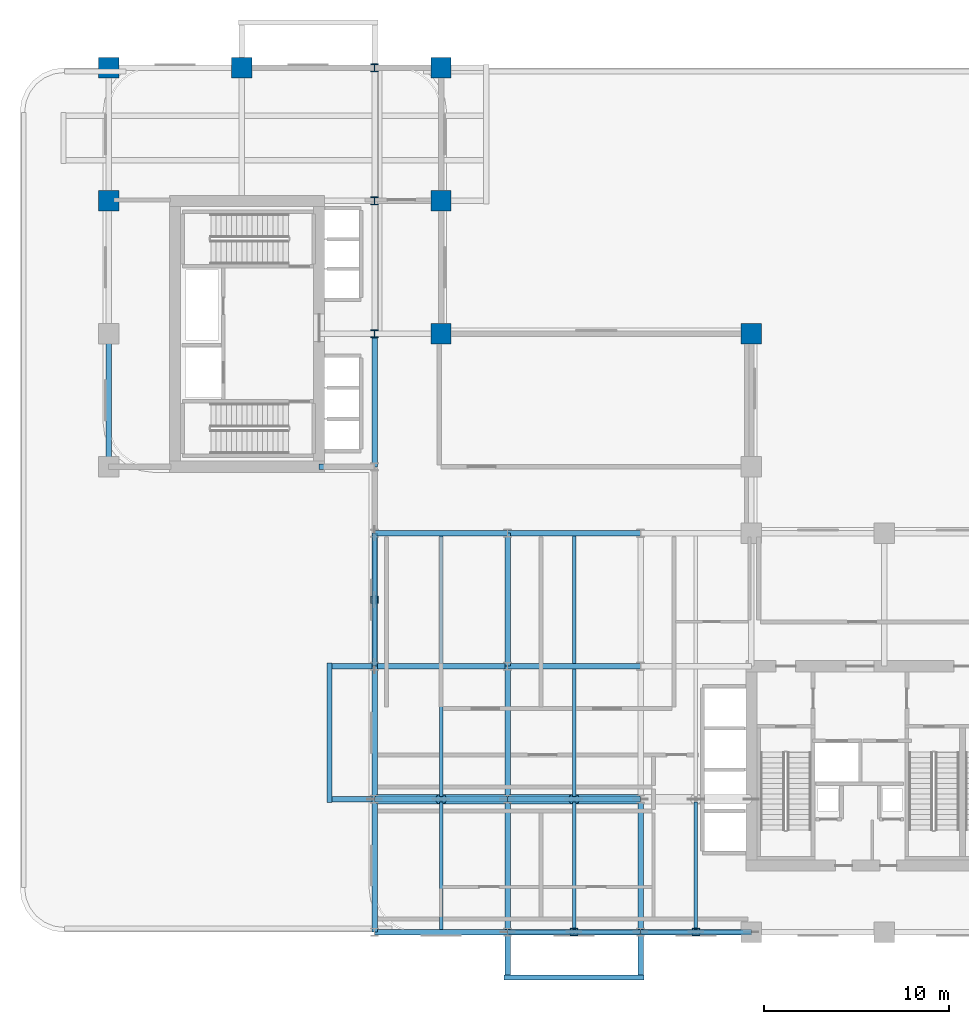
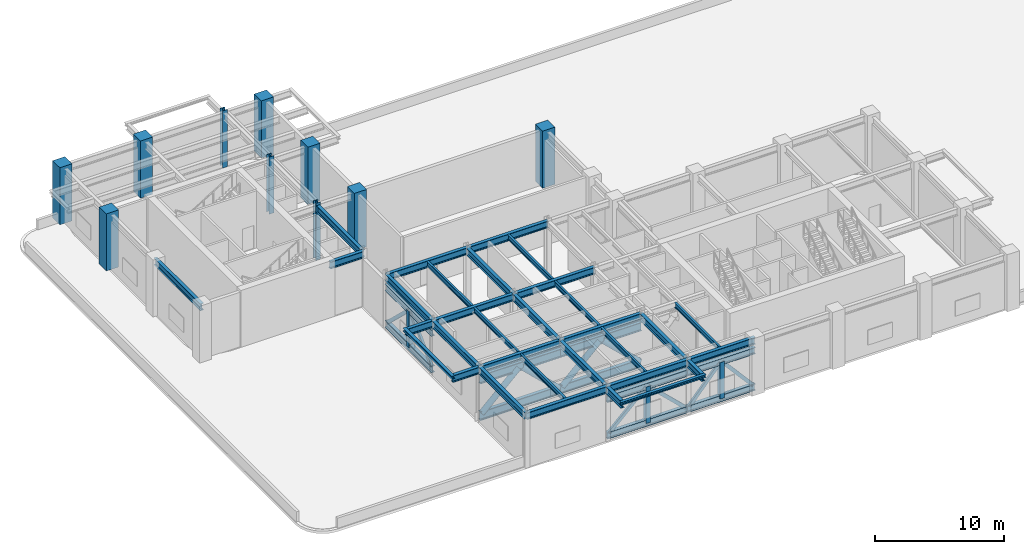
# One storey, part 2 of 14: 28 beams, 23 members, 10 columns.
"""IFC4 building model written with IfcOpenShell, lengths in metres."""

from ifc_helpers import new_model, si_unit, derived_unit, direction, frame, origin, origin_2d, place, context, subcontext, project, spatial, rectangle, hollow_rectangle, hollow_circle, i_section, extrude, source, transform, mapped, material, material_profile, profile_set, type_object, type_shapes, element, save


model = new_model("IFC4")

# Units and contexts
model_context = context("Model", 3, precision=1e-05, world=origin(), true_north=direction((0.0, 1.0)))
body_context = subcontext(model_context, "Body", "Model", "MODEL_VIEW")
ifc_project = project(units=[si_unit("LENGTHUNIT", "METRE"), si_unit("AREAUNIT", "SQUARE_METRE"), si_unit("VOLUMEUNIT", "CUBIC_METRE"), si_unit("PLANEANGLEUNIT", "RADIAN"), si_unit("MASSUNIT", "GRAM", prefix="KILO"), si_unit("THERMODYNAMICTEMPERATUREUNIT", "KELVIN"), si_unit("POWERUNIT", "WATT"), derived_unit("THERMALTRANSMITTANCEUNIT", [(si_unit("POWERUNIT", "WATT"), 1), (si_unit("AREAUNIT", "SQUARE_METRE"), -1), (si_unit("THERMODYNAMICTEMPERATUREUNIT", "KELVIN"), -1)])], contexts=[model_context])

# Site, building, storey
site_placement = place(None, origin())
site = spatial("IfcSite", under=ifc_project, at=site_placement, CompositionType="ELEMENT")
building_placement = place(site_placement, origin())
building = spatial("IfcBuilding", under=site, at=building_placement, Name="Zahravan Archway Hotel and Residences", CompositionType="ELEMENT")
storey_placement = place(building_placement, frame((0.0, 0.0, 27.0)))
storey = spatial("IfcBuildingStorey", under=building, at=storey_placement, Name="L05", CompositionType="ELEMENT", Elevation=27.0)

# Columns
ifc_material_1 = material(Name="Concrete C70/85", Category="concrete")
ifc_material_profile_1 = material_profile(ifc_material_1, rectangle(XDim=1.10009765625, YDim=1.10009765625, at=origin_2d()), Name="RC 1100x1100", Category="concrete")
ifc_profile_set_1 = profile_set([ifc_material_profile_1], Name="Concrete C70/85")
column_type_1 = type_object("IfcColumnType", Name="COL-RC-1100", PredefinedType="COLUMN", material=ifc_profile_set_1)
shared_shape_1 = source(origin(), body_context, "Body", "SweptSolid", [
    extrude(rectangle(XDim=1.10009765625, YDim=1.10009765625, at=origin_2d()), origin(), (0.0, 0.0, 1.0), 5.39990234375),
])
for number, where, z_axis, x_axis, name in (
    (1, (0.0, 39.60009765625, 0.0), (0.0, 0.0, 1.0), (1.0, 0.0, 0.0), "L05 Column 1-G"),
    (2, (0.0, 46.800048828125, 0.0), (0.0, 0.0, 1.0), (1.0, 0.0, 0.0), "L05 Column 1-H"),
    (3, (7.199951171875, 46.800048828125, 0.0), (0.0, 0.0, 1.0), (1.0, 0.0, 0.0), "L05 Column 2-H"),
    (4, (34.800048828125, 32.39990234375, 0.0), (0.0, 0.0, 1.0), (1.0, 0.0, 0.0), "L05 Column 6-F"),
    (5, (18.0, 32.39990234375, 0.0), (0.0, 0.0, 1.0), (1.0, 0.0, 0.0), "L05 Column 3B-F"),
    (6, (18.0, 39.60009765625, 0.0), (0.0, 0.0, 1.0), (1.0, 0.0, 0.0), "L05 Column 3B-G"),
    (7, (18.0, 46.800048828125, 0.0), (0.0, 0.0, 1.0), (1.0, 0.0, 0.0), "L05 Column 3B-H"),
):
    element("IfcColumn", number, at=place(storey_placement, frame(where, z_axis=z_axis, x_axis=x_axis)), inside=storey, type_object=column_type_1, Name=name, PredefinedType="COLUMN", context=body_context, shape_type="MappedRepresentation", body=[
        mapped(shared_shape_1, transform((0.0, 0.0, 0.0), scale=1.0)),
    ])
ifc_material_2 = material(Name="Structural Steel S460M", Category="steel")
ifc_material_profile_2 = material_profile(ifc_material_2, i_section(OverallWidth=0.408935546875, OverallDepth=0.425048828125, WebThickness=0.0244140625, FlangeThickness=0.0390625, FilletRadius=0.014892578125, at=origin_2d()), Name="HD 400x421", Category="steel")
ifc_profile_set_2 = profile_set([ifc_material_profile_2], Name="Structural Steel S460M")
column_type_2 = type_object("IfcColumnType", Name="COL-STL-HD400", PredefinedType="COLUMN", material=ifc_profile_set_2)
shared_shape_2 = source(origin(), body_context, "Body", "SweptSolid", [
    extrude(i_section(OverallWidth=0.408935546875, OverallDepth=0.425048828125, WebThickness=0.0244140625, FlangeThickness=0.0390625, FilletRadius=0.014892578125, at=origin_2d()), origin(), (0.0, 0.0, 1.0), 5.39990234375),
])
type_shapes(column_type_2, [shared_shape_2])
for number, where, z_axis, x_axis, name in (
    (8, (14.39990234375, 32.39990234375, 0.0), (0.0, 0.0, 1.0), (1.0, 0.0, 0.0), "L05 Column 3-F"),
    (9, (14.39990234375, 39.60009765625, 0.0), (0.0, 0.0, 1.0), (1.0, 0.0, 0.0), "L05 Column 3-G"),
    (10, (14.39990234375, 46.800048828125, 0.0), (0.0, 0.0, 1.0), (1.0, 0.0, 0.0), "L05 Column 3-H"),
):
    element("IfcColumn", number, at=place(storey_placement, frame(where, z_axis=z_axis, x_axis=x_axis)), inside=storey, type_object=column_type_2, Name=name, PredefinedType="COLUMN", context=body_context, shape_type="MappedRepresentation", body=[
        mapped(shared_shape_2, transform((0.0, 0.0, 0.0), scale=1.0)),
    ])

# Beams
ifc_material_3 = material(Name="Structural Steel S355JR", Category="steel")
ifc_material_profile_3 = material_profile(ifc_material_3, i_section(OverallWidth=0.300048828125, OverallDepth=0.64990234375, WebThickness=0.01611328125, FlangeThickness=0.031005859375, FilletRadius=0.027099609375, at=origin_2d()), Name="HEB 650", Category="steel")
ifc_profile_set_3 = profile_set([ifc_material_profile_3], Name="Structural Steel S355JR")
beam_type_1 = type_object("IfcBeamType", Name="BM-PRI-HEB650", PredefinedType="BEAM", material=ifc_profile_set_3)
shared_shape_3 = source(origin(), body_context, "Body", "SweptSolid", [
    extrude(i_section(OverallWidth=0.300048828125, OverallDepth=0.64990234375, WebThickness=0.01611328125, FlangeThickness=0.031005859375, FilletRadius=0.027099609375, at=origin_2d()), origin(), (0.0, 0.0, 1.0), 7.2001953125),
])
type_shapes(beam_type_1, [shared_shape_3])
for number, where, z_axis, x_axis, name in (
    (11, (14.39990234375, 0.0, 4.824951171875), (1.0, 0.0, 0.0), (0.0, 1.0, 0.0), "L05 Primary Girder EW-01"),
    (12, (14.39990234375, 21.60009765625, 4.824951171875), (1.0, 0.0, 0.0), (0.0, 1.0, 0.0), "L05 Primary Girder EW-15"),
    (13, (14.39990234375, 14.39990234375, 4.824951171875), (0.0, 1.0, 0.0), (-1.0, 0.0, 0.0), "L05 Primary Girder NS-34"),
    (14, (21.60009765625, 14.39990234375, 4.824951171875), (0.0, 1.0, 0.0), (-1.0, 0.0, 0.0), "L05 Primary Girder NS-40"),
):
    element("IfcBeam", number, at=place(storey_placement, frame(where, z_axis=z_axis, x_axis=x_axis)), inside=storey, type_object=beam_type_1, Name=name, PredefinedType="BEAM", context=body_context, shape_type="MappedRepresentation", body=[
        mapped(shared_shape_3, transform((0.0, 0.0, 0.0), scale=1.0)),
    ])
shared_shape_4 = source(origin(), body_context, "Body", "SweptSolid", [
    extrude(i_section(OverallWidth=0.300048828125, OverallDepth=0.64990234375, WebThickness=0.01611328125, FlangeThickness=0.031005859375, FilletRadius=0.027099609375, at=origin_2d()), origin(), (0.0, 0.0, 1.0), 7.199951171875),
])
for number, where, z_axis, x_axis, name in (
    (15, (21.60009765625, 0.0, 4.824951171875), (1.0, 0.0, 0.0), (0.0, 1.0, 0.0), "L05 Primary Girder EW-02"),
    (16, (21.60009765625, 7.199951171875, 4.824951171875), (1.0, 0.0, 0.0), (0.0, 1.0, 0.0), "L05 Primary Girder EW-08"),
    (17, (21.60009765625, 14.39990234375, 4.824951171875), (1.0, 0.0, 0.0), (0.0, 1.0, 0.0), "L05 Primary Girder EW-12"),
    (18, (21.60009765625, 21.60009765625, 4.824951171875), (1.0, 0.0, 0.0), (0.0, 1.0, 0.0), "L05 Primary Girder EW-16"),
    (19, (0.0, 25.199951171875, 4.824951171875), (0.0, 1.0, 0.0), (-1.0, 0.0, 0.0), "L05 Primary Girder NS-28"),
    (20, (14.39990234375, 0.0, 4.824951171875), (0.0, 1.0, 0.0), (-1.0, 0.0, 0.0), "L05 Primary Girder NS-32"),
    (21, (14.39990234375, 7.199951171875, 4.824951171875), (0.0, 1.0, 0.0), (-1.0, 0.0, 0.0), "L05 Primary Girder NS-33"),
    (22, (14.39990234375, 25.199951171875, 4.824951171875), (0.0, 1.0, 0.0), (-1.0, 0.0, 0.0), "L05 Primary Girder NS-35"),
    (23, (21.60009765625, 7.199951171875, 4.824951171875), (0.0, 1.0, 0.0), (-1.0, 0.0, 0.0), "L05 Primary Girder NS-39"),
):
    element("IfcBeam", number, at=place(storey_placement, frame(where, z_axis=z_axis, x_axis=x_axis)), inside=storey, type_object=beam_type_1, Name=name, PredefinedType="BEAM", context=body_context, shape_type="MappedRepresentation", body=[
        mapped(shared_shape_4, transform((0.0, 0.0, 0.0), scale=1.0)),
    ])
shared_shape_5 = source(origin(), body_context, "Body", "SweptSolid", [
    extrude(i_section(OverallWidth=0.300048828125, OverallDepth=0.64990234375, WebThickness=0.01611328125, FlangeThickness=0.031005859375, FilletRadius=0.027099609375, at=origin_2d()), origin(), (0.0, 0.0, 1.0), 6.0),
])
beam_1_placement = place(storey_placement, frame((28.800048828125, 0.0, 4.824951171875), z_axis=(1.0, 0.0, 0.0), x_axis=(0.0, 1.0, 0.0)))
element("IfcBeam", 24, at=beam_1_placement, inside=storey, type_object=beam_type_1, Name="L05 Primary Girder EW-03", PredefinedType="BEAM", context=body_context, shape_type="MappedRepresentation", body=[
    mapped(shared_shape_5, transform((0.0, 0.0, 0.0), scale=1.0)),
])
shared_shape_6 = source(origin(), body_context, "Body", "SweptSolid", [
    extrude(i_section(OverallWidth=0.300048828125, OverallDepth=0.64990234375, WebThickness=0.01611328125, FlangeThickness=0.031005859375, FilletRadius=0.027099609375, at=origin_2d()), origin(), (0.0, 0.0, 1.0), 9.650146484375),
])
for number, where, z_axis, x_axis, name in (
    (25, (11.949951171875, 7.199951171875, 4.824951171875), (1.0, 0.0, 0.0), (0.0, 1.0, 0.0), "L05 Primary Girder EW-07"),
    (26, (11.949951171875, 14.39990234375, 4.824951171875), (1.0, 0.0, 0.0), (0.0, 1.0, 0.0), "L05 Primary Girder EW-11"),
):
    element("IfcBeam", number, at=place(storey_placement, frame(where, z_axis=z_axis, x_axis=x_axis)), inside=storey, type_object=beam_type_1, Name=name, PredefinedType="BEAM", context=body_context, shape_type="MappedRepresentation", body=[
        mapped(shared_shape_6, transform((0.0, 0.0, 0.0), scale=1.0)),
    ])
shared_shape_7 = source(origin(), body_context, "Body", "SweptSolid", [
    extrude(i_section(OverallWidth=0.300048828125, OverallDepth=0.64990234375, WebThickness=0.01611328125, FlangeThickness=0.031005859375, FilletRadius=0.027099609375, at=origin_2d()), origin(), (0.0, 0.0, 1.0), 3.0),
])
beam_2_placement = place(storey_placement, frame((11.39990234375, 25.199951171875, 4.824951171875), z_axis=(1.0, 0.0, 0.0), x_axis=(0.0, 1.0, 0.0)))
element("IfcBeam", 27, at=beam_2_placement, inside=storey, type_object=beam_type_1, Name="L05 Primary Girder EW-21", PredefinedType="BEAM", context=body_context, shape_type="MappedRepresentation", body=[
    mapped(shared_shape_7, transform((0.0, 0.0, 0.0), scale=1.0)),
])
ifc_material_profile_4 = material_profile(ifc_material_3, i_section(OverallWidth=0.280029296875, OverallDepth=0.280029296875, WebThickness=0.010498046875, FlangeThickness=0.01806640625, FilletRadius=0.02392578125, at=origin_2d()), Name="HEB 280", Category="steel")
ifc_profile_set_4 = profile_set([ifc_material_profile_4], Name="Structural Steel S355JR")
beam_type_2 = type_object("IfcBeamType", Name="BM-SPN-HEB280", PredefinedType="SPANDREL", material=ifc_profile_set_4)
shared_shape_8 = source(origin(), body_context, "Body", "SweptSolid", [
    extrude(i_section(OverallWidth=0.280029296875, OverallDepth=0.280029296875, WebThickness=0.010498046875, FlangeThickness=0.01806640625, FilletRadius=0.02392578125, at=origin_2d()), origin(), (0.0, 0.0, 1.0), 7.56005859375),
])
type_shapes(beam_type_2, [shared_shape_8])
for number, where, z_axis, x_axis, name in (
    (28, (11.949951171875, 7.02001953125, 5.010009765625), (0.0, 1.0, 0.0), (-1.0, 0.0, 0.0), "L06 WA Balcony Edge Spandrel"),
    (29, (21.419921875, -2.449951171875, 5.010009765625), (1.0, 0.0, 0.0), (0.0, 1.0, 0.0), "L06 SA Balcony Edge Spandrel"),
):
    element("IfcBeam", number, at=place(storey_placement, frame(where, z_axis=z_axis, x_axis=x_axis)), inside=storey, type_object=beam_type_2, Name=name, PredefinedType="SPANDREL", context=body_context, shape_type="MappedRepresentation", body=[
        mapped(shared_shape_8, transform((0.0, 0.0, 0.0), scale=1.0)),
    ])
shared_shape_9 = source(origin(), body_context, "Body", "SweptSolid", [
    extrude(i_section(OverallWidth=0.300048828125, OverallDepth=0.64990234375, WebThickness=0.01611328125, FlangeThickness=0.031005859375, FilletRadius=0.027099609375, at=origin_2d()), origin(), (0.0, 0.0, 1.0), 9.64990234375),
])
for number, where, z_axis, x_axis, name in (
    (30, (21.60009765625, -2.449951171875, 4.824951171875), (0.0, 1.0, 0.0), (-1.0, 0.0, 0.0), "L05 Primary Girder NS-38"),
    (31, (28.800048828125, -2.449951171875, 4.824951171875), (0.0, 1.0, 0.0), (-1.0, 0.0, 0.0), "L05 Primary Girder NS-41"),
):
    element("IfcBeam", number, at=place(storey_placement, frame(where, z_axis=z_axis, x_axis=x_axis)), inside=storey, type_object=beam_type_1, Name=name, PredefinedType="BEAM", context=body_context, shape_type="MappedRepresentation", body=[
        mapped(shared_shape_9, transform((0.0, 0.0, 0.0), scale=1.0)),
    ])
ifc_material_profile_5 = material_profile(ifc_material_3, i_section(OverallWidth=0.18994140625, OverallDepth=0.449951171875, WebThickness=0.009521484375, FlangeThickness=0.0146484375, FilletRadius=0.02099609375, at=origin_2d()), Name="IPE 450", Category="steel")
ifc_profile_set_5 = profile_set([ifc_material_profile_5], Name="Structural Steel S355JR")
beam_type_3 = type_object("IfcBeamType", Name="BM-JST-IPE450", PredefinedType="JOIST", material=ifc_profile_set_5)
shared_shape_10 = source(origin(), body_context, "Body", "SweptSolid", [
    extrude(i_section(OverallWidth=0.18994140625, OverallDepth=0.449951171875, WebThickness=0.009521484375, FlangeThickness=0.0146484375, FilletRadius=0.02099609375, at=origin_2d()), origin(), (0.0, 0.0, 1.0), 6.904052734375),
])
type_shapes(beam_type_3, [shared_shape_10])
for number, where, z_axis, x_axis, name in (
    (32, (18.0, 0.14794921875, 4.925048828125), (0.0, 1.0, 0.0), (-1.0, 0.0, 0.0), "L05 Composite Floor Joist 01"),
    (33, (25.199951171875, 0.14794921875, 4.925048828125), (0.0, 1.0, 0.0), (-1.0, 0.0, 0.0), "L05 Composite Floor Joist 02"),
    (34, (31.800048828125, 0.14794921875, 4.925048828125), (0.0, 1.0, 0.0), (-1.0, 0.0, 0.0), "L05 Composite Floor Joist 03"),
    (35, (18.0, 7.347900390625, 4.925048828125), (0.0, 1.0, 0.0), (-1.0, 0.0, 0.0), "L05 Composite Floor Joist 05"),
    (36, (25.199951171875, 7.347900390625, 4.925048828125), (0.0, 1.0, 0.0), (-1.0, 0.0, 0.0), "L05 Composite Floor Joist 06"),
):
    element("IfcBeam", number, at=place(storey_placement, frame(where, z_axis=z_axis, x_axis=x_axis)), inside=storey, type_object=beam_type_3, Name=name, PredefinedType="JOIST", context=body_context, shape_type="MappedRepresentation", body=[
        mapped(shared_shape_10, transform((0.0, 0.0, 0.0), scale=1.0)),
    ])
shared_shape_11 = source(origin(), body_context, "Body", "SweptSolid", [
    extrude(i_section(OverallWidth=0.18994140625, OverallDepth=0.449951171875, WebThickness=0.009521484375, FlangeThickness=0.0146484375, FilletRadius=0.02099609375, at=origin_2d()), origin(), (0.0, 0.0, 1.0), 6.90380859375),
])
for number, where, z_axis, x_axis, name in (
    (37, (18.0, 14.548095703125, 4.925048828125), (0.0, 1.0, 0.0), (-1.0, 0.0, 0.0), "L05 Composite Floor Joist 09"),
    (38, (25.199951171875, 14.548095703125, 4.925048828125), (0.0, 1.0, 0.0), (-1.0, 0.0, 0.0), "L05 Composite Floor Joist 10"),
):
    element("IfcBeam", number, at=place(storey_placement, frame(where, z_axis=z_axis, x_axis=x_axis)), inside=storey, type_object=beam_type_3, Name=name, PredefinedType="JOIST", context=body_context, shape_type="MappedRepresentation", body=[
        mapped(shared_shape_11, transform((0.0, 0.0, 0.0), scale=1.0)),
    ])

# Members
ifc_material_profile_6 = material_profile(ifc_material_2, i_section(OverallWidth=0.302978515625, OverallDepth=0.81396484375, WebThickness=0.02099609375, FlangeThickness=0.0400390625, FilletRadius=0.030029296875, at=origin_2d()), Name="HEM 800", Category="steel")
ifc_profile_set_6 = profile_set([ifc_material_profile_6], Name="Structural Steel S460M")
member_type_1 = type_object("IfcMemberType", Name="MEM-CHD-HEM800", PredefinedType="CHORD", material=ifc_profile_set_6)
shared_shape_12 = source(origin(), body_context, "Body", "SweptSolid", [
    extrude(i_section(OverallWidth=0.302978515625, OverallDepth=0.81396484375, WebThickness=0.02099609375, FlangeThickness=0.0400390625, FilletRadius=0.030029296875, at=origin_2d()), origin(), (0.0, 0.0, 1.0), 7.2001953125),
])
type_shapes(member_type_1, [shared_shape_12])
for number, where, z_axis, x_axis, name in (
    (39, (14.39990234375, 7.199951171875, 3.89990234375), (1.0, 0.0, 0.0), (0.0, 1.0, 0.0), "L05 Outrigger OT1 Top Chord 1"),
    (40, (14.39990234375, 7.199951171875, 0.449951171875), (1.0, 0.0, 0.0), (0.0, 1.0, 0.0), "L05 Outrigger OT1 Bottom Chord 1"),
):
    element("IfcMember", number, at=place(storey_placement, frame(where, z_axis=z_axis, x_axis=x_axis)), inside=storey, type_object=member_type_1, Name=name, PredefinedType="CHORD", context=body_context, shape_type="MappedRepresentation", body=[
        mapped(shared_shape_12, transform((0.0, 0.0, 0.0), scale=1.0)),
    ])
ifc_material_profile_7 = material_profile(ifc_material_2, hollow_circle(Radius=0.25390625, WallThickness=0.02490234375, at=origin_2d()), Name="CHS 508x25", Category="steel")
ifc_profile_set_7 = profile_set([ifc_material_profile_7], Name="Structural Steel S460M")
member_type_2 = type_object("IfcMemberType", Name="MEM-DIAG-CHS508", PredefinedType="BRACE", material=ifc_profile_set_7)
shared_shape_13 = source(origin(), body_context, "Body", "SweptSolid", [
    extrude(hollow_circle(Radius=0.25390625, WallThickness=0.02490234375, at=origin_2d()), origin(), (0.0, 0.0, 1.0), 4.586181640625),
])
type_shapes(member_type_2, [shared_shape_13])
for number, where, z_axis, x_axis, name in (
    (41, (14.5732421875, 7.199951171875, 0.6162109375), (0.722011473464, 0.0, 0.691881082402), (0.0, 1.0, 0.0), "L05 Outrigger OT1 Chevron Left 1"),
    (42, (18.115478515625, 7.199951171875, 3.789306640625), (0.722011473464, 0.0, -0.691881082402), (0.0, 1.0, 0.0), "L05 Outrigger OT1 Chevron Right 1"),
    (43, (21.773193359375, 7.199951171875, 0.6162109375), (0.722011473464, 0.0, 0.691881082402), (0.0, 1.0, 0.0), "L05 Outrigger OT1 Chevron Left 2"),
    (44, (25.3154296875, 7.199951171875, 3.789306640625), (0.722011473464, 0.0, -0.691881082402), (0.0, 1.0, 0.0), "L05 Outrigger OT1 Chevron Right 2"),
):
    element("IfcMember", number, at=place(storey_placement, frame(where, z_axis=z_axis, x_axis=x_axis)), inside=storey, type_object=member_type_2, Name=name, PredefinedType="BRACE", context=body_context, shape_type="MappedRepresentation", body=[
        mapped(shared_shape_13, transform((0.0, 0.0, 0.0), scale=1.0)),
    ])
shared_shape_14 = source(origin(), body_context, "Body", "SweptSolid", [
    extrude(i_section(OverallWidth=0.302978515625, OverallDepth=0.81396484375, WebThickness=0.02099609375, FlangeThickness=0.0400390625, FilletRadius=0.030029296875, at=origin_2d()), origin(), (0.0, 0.0, 1.0), 7.199951171875),
])
for number, where, z_axis, x_axis, name in (
    (45, (21.60009765625, 7.199951171875, 3.89990234375), (1.0, 0.0, 0.0), (0.0, 1.0, 0.0), "L05 Outrigger OT1 Top Chord 2"),
    (46, (21.60009765625, 7.199951171875, 0.449951171875), (1.0, 0.0, 0.0), (0.0, 1.0, 0.0), "L05 Outrigger OT1 Bottom Chord 2"),
):
    element("IfcMember", number, at=place(storey_placement, frame(where, z_axis=z_axis, x_axis=x_axis)), inside=storey, type_object=member_type_1, Name=name, PredefinedType="CHORD", context=body_context, shape_type="MappedRepresentation", body=[
        mapped(shared_shape_14, transform((0.0, 0.0, 0.0), scale=1.0)),
    ])
ifc_material_4 = material(Name="Structural Steel S355J2", Category="steel")
ifc_material_profile_8 = material_profile(ifc_material_4, i_section(OverallWidth=0.304931640625, OverallDepth=0.6201171875, WebThickness=0.02099609375, FlangeThickness=0.0400390625, FilletRadius=0.027099609375, at=origin_2d()), Name="HEM 600", Category="steel")
ifc_profile_set_8 = profile_set([ifc_material_profile_8], Name="Structural Steel S355J2")
member_type_3 = type_object("IfcMemberType", Name="MEM-CHD-HEM600", PredefinedType="CHORD", material=ifc_profile_set_8)
shared_shape_15 = source(origin(), body_context, "Body", "SweptSolid", [
    extrude(i_section(OverallWidth=0.304931640625, OverallDepth=0.6201171875, WebThickness=0.02099609375, FlangeThickness=0.0400390625, FilletRadius=0.027099609375, at=origin_2d()), origin(), (0.0, 0.0, 1.0), 7.199951171875),
])
type_shapes(member_type_3, [shared_shape_15])
for number, where, z_axis, x_axis, name in (
    (47, (21.60009765625, 0.0, 0.449951171875), (1.0, 0.0, 0.0), (0.0, 1.0, 0.0), "L05 Belt Truss BT1 Bottom Chord 1"),
    (48, (21.60009765625, 0.0, 3.89990234375), (1.0, 0.0, 0.0), (0.0, 1.0, 0.0), "L05 Belt Truss BT1 Top Chord 1"),
):
    element("IfcMember", number, at=place(storey_placement, frame(where, z_axis=z_axis, x_axis=x_axis)), inside=storey, type_object=member_type_3, Name=name, PredefinedType="CHORD", context=body_context, shape_type="MappedRepresentation", body=[
        mapped(shared_shape_15, transform((0.0, 0.0, 0.0), scale=1.0)),
    ])
ifc_material_profile_9 = material_profile(ifc_material_4, hollow_rectangle(XDim=0.199951171875, YDim=0.300048828125, WallThickness=0.012451171875, at=origin_2d()), Name="RHS 300x200x12.5", Category="steel")
ifc_profile_set_9 = profile_set([ifc_material_profile_9], Name="Structural Steel S355J2")
member_type_4 = type_object("IfcMemberType", Name="MEM-DIAG-RHS300", PredefinedType="BRACE", material=ifc_profile_set_9)
shared_shape_16 = source(origin(), body_context, "Body", "SweptSolid", [
    extrude(hollow_rectangle(XDim=0.199951171875, YDim=0.300048828125, WallThickness=0.012451171875, at=origin_2d()), origin(), (0.0, 0.0, 1.0), 4.586181640625),
])
type_shapes(member_type_4, [shared_shape_16])
for number, where, z_axis, x_axis, name in (
    (49, (21.773193359375, 0.0, 0.6162109375), (0.722011473464, 0.0, 0.691881082402), (0.0, 1.0, 0.0), "L05 Belt Truss BT1 Left Brace 1"),
    (50, (25.3154296875, 0.0, 3.789306640625), (0.722011473464, 0.0, -0.691881082402), (0.0, 1.0, 0.0), "L05 Belt Truss BT1 Right Brace 1"),
    (51, (14.39990234375, 14.5732421875, 0.6162109375), (0.0, 0.722011473464, 0.691881082402), (-1.0, 0.0, 0.0), "L05 Belt Truss BT1 Left Brace 3"),
    (52, (14.39990234375, 18.115478515625, 3.789306640625), (0.0, 0.722011473464, -0.691881082402), (-1.0, 0.0, 0.0), "L05 Belt Truss BT1 Right Brace 3"),
):
    element("IfcMember", number, at=place(storey_placement, frame(where, z_axis=z_axis, x_axis=x_axis)), inside=storey, type_object=member_type_4, Name=name, PredefinedType="BRACE", context=body_context, shape_type="MappedRepresentation", body=[
        mapped(shared_shape_16, transform((0.0, 0.0, 0.0), scale=1.0)),
    ])
ifc_material_profile_10 = material_profile(ifc_material_4, hollow_rectangle(XDim=0.39990234375, YDim=0.39990234375, WallThickness=0.02001953125, at=origin_2d()), Name="SHS 400x400x20", Category="steel")
ifc_profile_set_10 = profile_set([ifc_material_profile_10], Name="Structural Steel S355J2")
member_type_5 = type_object("IfcMemberType", Name="MEM-POST-SHS400", PredefinedType="POST", material=ifc_profile_set_10)
shared_shape_17 = source(origin(), body_context, "Body", "SweptSolid", [
    extrude(hollow_rectangle(XDim=0.39990234375, YDim=0.39990234375, WallThickness=0.02001953125, at=origin_2d()), origin(), (0.0, 0.0, 1.0), 3.449951171875),
])
type_shapes(member_type_5, [shared_shape_17])
for number, where, z_axis, x_axis, name in (
    (53, (25.199951171875, 0.0, 0.449951171875), (0.0, 0.0, 1.0), (1.0, 0.0, 0.0), "L05 Belt Truss BT1 King Post 1"),
    (54, (31.800048828125, 0.0, 0.449951171875), (0.0, 0.0, 1.0), (1.0, 0.0, 0.0), "L05 Belt Truss BT1 King Post 2"),
    (55, (14.39990234375, 18.0, 0.449951171875), (0.0, 0.0, 1.0), (1.0, 0.0, 0.0), "L05 Belt Truss BT1 King Post 3"),
):
    element("IfcMember", number, at=place(storey_placement, frame(where, z_axis=z_axis, x_axis=x_axis)), inside=storey, type_object=member_type_5, Name=name, PredefinedType="POST", context=body_context, shape_type="MappedRepresentation", body=[
        mapped(shared_shape_17, transform((0.0, 0.0, 0.0), scale=1.0)),
    ])
shared_shape_18 = source(origin(), body_context, "Body", "SweptSolid", [
    extrude(i_section(OverallWidth=0.304931640625, OverallDepth=0.6201171875, WebThickness=0.02099609375, FlangeThickness=0.0400390625, FilletRadius=0.027099609375, at=origin_2d()), origin(), (0.0, 0.0, 1.0), 6.0),
])
for number, where, z_axis, x_axis, name in (
    (56, (28.800048828125, 0.0, 0.449951171875), (1.0, 0.0, 0.0), (0.0, 1.0, 0.0), "L05 Belt Truss BT1 Bottom Chord 2"),
    (57, (28.800048828125, 0.0, 3.89990234375), (1.0, 0.0, 0.0), (0.0, 1.0, 0.0), "L05 Belt Truss BT1 Top Chord 2"),
):
    element("IfcMember", number, at=place(storey_placement, frame(where, z_axis=z_axis, x_axis=x_axis)), inside=storey, type_object=member_type_3, Name=name, PredefinedType="CHORD", context=body_context, shape_type="MappedRepresentation", body=[
        mapped(shared_shape_18, transform((0.0, 0.0, 0.0), scale=1.0)),
    ])
shared_shape_19 = source(origin(), body_context, "Body", "SweptSolid", [
    extrude(hollow_rectangle(XDim=0.199951171875, YDim=0.300048828125, WallThickness=0.012451171875, at=origin_2d()), origin(), (0.0, 0.0, 1.0), 4.171875),
])
for number, where, z_axis, x_axis, name in (
    (58, (28.95751953125, 0.0, 0.631103515625), (0.656177266113, 0.0, 0.754606781997), (0.0, 1.0, 0.0), "L05 Belt Truss BT1 Left Brace 2"),
    (59, (31.905029296875, 0.0, 3.779296875), (0.656177266113, 0.0, -0.754606781997), (0.0, 1.0, 0.0), "L05 Belt Truss BT1 Right Brace 2"),
):
    element("IfcMember", number, at=place(storey_placement, frame(where, z_axis=z_axis, x_axis=x_axis)), inside=storey, type_object=member_type_4, Name=name, PredefinedType="BRACE", context=body_context, shape_type="MappedRepresentation", body=[
        mapped(shared_shape_19, transform((0.0, 0.0, 0.0), scale=1.0)),
    ])
shared_shape_20 = source(origin(), body_context, "Body", "SweptSolid", [
    extrude(i_section(OverallWidth=0.304931640625, OverallDepth=0.6201171875, WebThickness=0.02099609375, FlangeThickness=0.0400390625, FilletRadius=0.027099609375, at=origin_2d()), origin(), (0.0, 0.0, 1.0), 7.2001953125),
])
for number, where, z_axis, x_axis, name in (
    (60, (14.39990234375, 14.39990234375, 0.449951171875), (0.0, 1.0, 0.0), (-1.0, 0.0, 0.0), "L05 Belt Truss BT1 Bottom Chord 3"),
    (61, (14.39990234375, 14.39990234375, 3.89990234375), (0.0, 1.0, 0.0), (-1.0, 0.0, 0.0), "L05 Belt Truss BT1 Top Chord 3"),
):
    element("IfcMember", number, at=place(storey_placement, frame(where, z_axis=z_axis, x_axis=x_axis)), inside=storey, type_object=member_type_3, Name=name, PredefinedType="CHORD", context=body_context, shape_type="MappedRepresentation", body=[
        mapped(shared_shape_20, transform((0.0, 0.0, 0.0), scale=1.0)),
    ])

save(model, "model.ifc")
